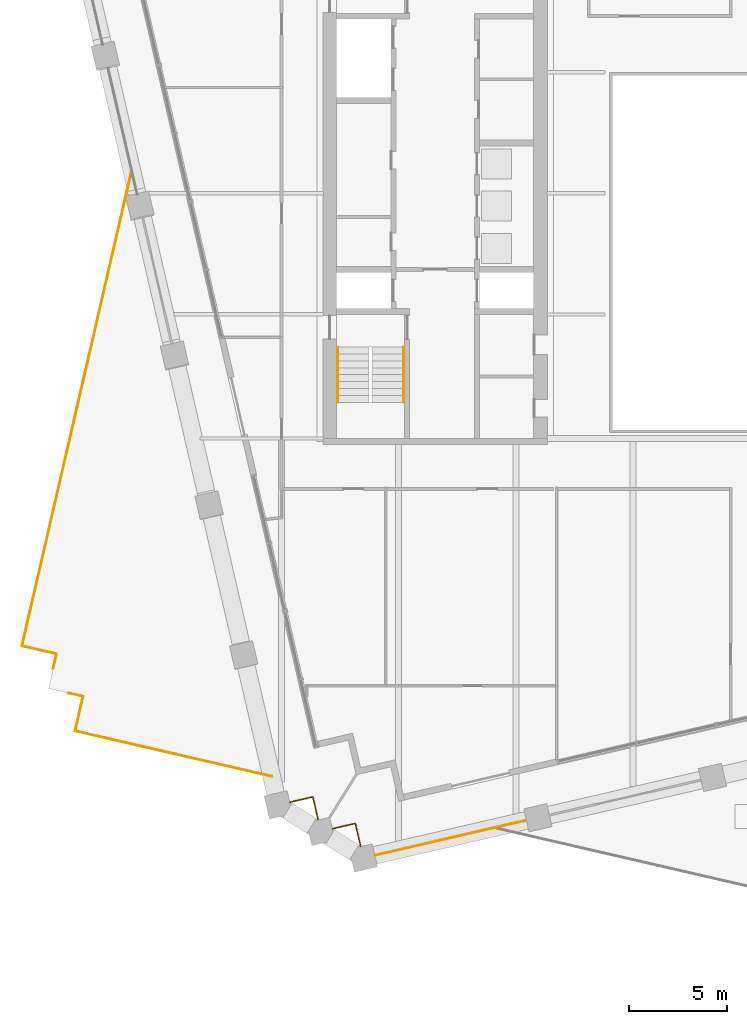
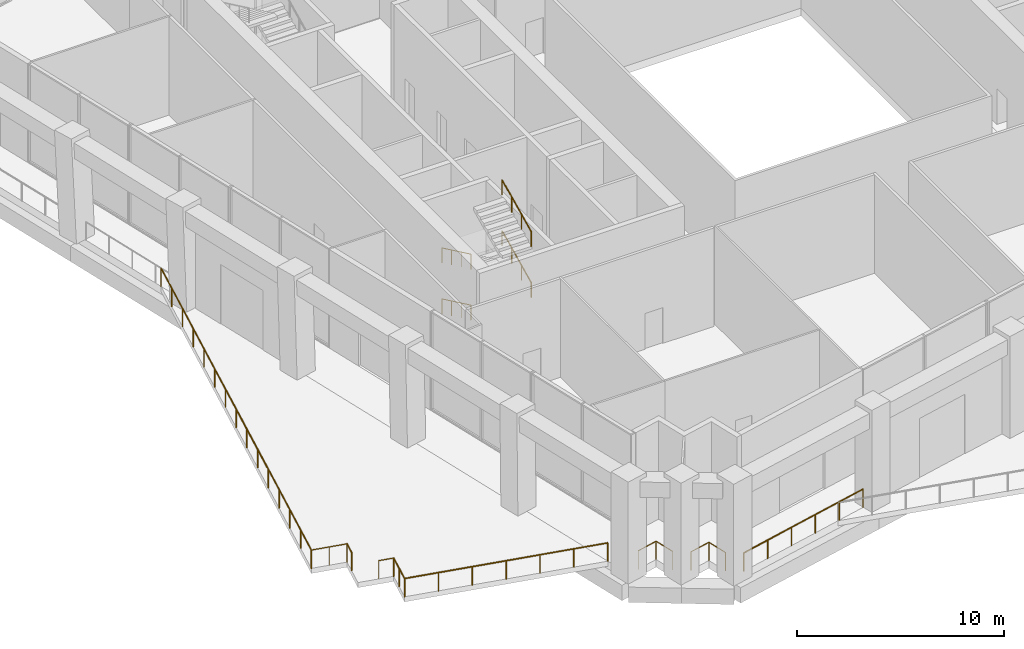
# One storey, part 18 of 24: 13 railings.
"""IFC4 building model written with IfcOpenShell, lengths in metres."""

import ifcopenshell
import ifcopenshell.guid

model = None  # the IFC model being written
_history = None  # IfcOwnerHistory: only IFC2X3 demands one
_inside = {}  # id of a spatial element -> (the spatial element, [elements in it])
_under = {}  # id of a project, library or spatial element -> (it, [spatial elements below it])
_declared = {}  # id of a project -> (the project, [libraries it declares])
_typed = {}  # id of a type object -> (the type object, [elements of that type])
_made_of = {}  # id of a material, layer set ... -> (it, [elements and type objects made of it])


def new_model(schema):
    """Start an empty IFC model of exactly this schema.

    Asked for "IFC4X3", IfcOpenShell would pick the latest addendum, in which some entities
    have other attributes; the version numbers below select the first issue.
    IFC2X3 requires an IfcOwnerHistory on every rooted entity: one is made here for all.
    """
    global model, _history
    if schema == "IFC4X3":
        model = ifcopenshell.file(schema_version=(4, 3, 0, 0))
    else:
        model = ifcopenshell.file(schema=schema)
    _inside.clear()
    _under.clear()
    _declared.clear()
    _typed.clear()
    _made_of.clear()
    _history = None
    if model.schema == "IFC2X3":
        org = make("IfcOrganization", Name="unknown")
        user = make(
            "IfcPersonAndOrganization",
            ThePerson=make("IfcPerson", FamilyName="unknown"),
            TheOrganization=org,
        )
        app = make(
            "IfcApplication",
            ApplicationDeveloper=org,
            Version="unknown",
            ApplicationFullName="unknown",
            ApplicationIdentifier="unknown",
        )
        _history = make(
            "IfcOwnerHistory",
            OwningUser=user,
            OwningApplication=app,
            ChangeAction="ADDED",
            CreationDate=0,
        )
    return model


def make(cls, **values):
    """One entity of the class cls with the attributes given. An attribute that is None is left unset."""
    return model.create_entity(
        cls, **{name: value for name, value in values.items() if value is not None}
    )


def rooted(cls, **values):
    """An entity with a GlobalId (a new one), such as an element, a storey or a relation."""
    return make(cls, GlobalId=ifcopenshell.guid.new(), OwnerHistory=_history, **values)


def si_unit(unit_type, name, prefix=None):
    """IfcSIUnit, for example si_unit("LENGTHUNIT", "METRE", prefix="MILLI")."""
    return make("IfcSIUnit", UnitType=unit_type, Prefix=prefix, Name=name)


def assignment(units):
    """IfcUnitAssignment: the units of a project."""
    return None if units is None else make("IfcUnitAssignment", Units=units)


def point(xyz):
    """IfcCartesianPoint."""
    return None if xyz is None else make("IfcCartesianPoint", Coordinates=xyz)


def direction(xyz):
    """IfcDirection."""
    return None if xyz is None else make("IfcDirection", DirectionRatios=xyz)


def frame(location, z_axis=None, x_axis=None):
    """IfcAxis2Placement3D, a coordinate frame: its origin and axes. An axis left out is left unset."""
    return make(
        "IfcAxis2Placement3D",
        Location=point(location),
        Axis=direction(z_axis),
        RefDirection=direction(x_axis),
    )


def frame_2d(location, x_axis=None):
    """IfcAxis2Placement2D, a coordinate frame in the plane: its origin and x axis."""
    return make(
        "IfcAxis2Placement2D", Location=point(location), RefDirection=direction(x_axis)
    )


def origin():
    """The frame at (0, 0, 0) with its axes left unset."""
    return frame((0.0, 0.0, 0.0))


def origin_2d():
    """The frame at (0, 0) in the plane with its x axis left unset."""
    return frame_2d((0.0, 0.0))


def place(relative_to, where):
    """IfcLocalPlacement: puts the frame where relative to a parent placement (None: the world)."""
    return make(
        "IfcLocalPlacement", PlacementRelTo=relative_to, RelativePlacement=where
    )


def context(
    kind, dimensions, precision=None, world=None, true_north=None, identifier=None
):
    """IfcGeometricRepresentationContext, for example the 3D "Model" context."""
    return make(
        "IfcGeometricRepresentationContext",
        ContextIdentifier=identifier,
        ContextType=kind,
        CoordinateSpaceDimension=dimensions,
        Precision=precision,
        WorldCoordinateSystem=world,
        TrueNorth=true_north,
    )


def subcontext(parent, identifier, kind, view, scale=None):
    """IfcGeometricRepresentationSubContext, for example "Body" below "Model"."""
    return make(
        "IfcGeometricRepresentationSubContext",
        ContextIdentifier=identifier,
        ContextType=kind,
        ParentContext=parent,
        TargetScale=scale,
        TargetView=view,
    )


def project(units=None, contexts=None):
    """IfcProject with its units and contexts."""
    return rooted(
        "IfcProject",
        Name="project",
        RepresentationContexts=contexts,
        UnitsInContext=assignment(units),
    )


def spatial(cls, under=None, at=None, **own):
    """A site, building, storey or space (cls), placed at a placement, below another one or the project."""
    s = rooted(cls, ObjectPlacement=at, **own)
    if under is not None:
        _under.setdefault(under.id(), (under, []))[1].append(s)
    return s


def profile(cls, at=None, kind="AREA", **sizes):
    """A parametric profile (cls). Its sizes go by their IFC names, for example OverallWidth=200.0."""
    return make(cls, ProfileType=kind, Position=at, **sizes)


def circle(**sizes):
    """IfcCircleProfileDef."""
    return profile("IfcCircleProfileDef", **sizes)


def extrude(swept, where, along, depth):
    """IfcExtrudedAreaSolid: the profile swept, set in the frame where, extruded along a direction by depth."""
    return make(
        "IfcExtrudedAreaSolid",
        SweptArea=swept,
        Position=where,
        ExtrudedDirection=direction(along),
        Depth=depth,
    )


def shape(context_of_items, identifier, shape_type, items):
    """IfcShapeRepresentation: the items that make up one representation, for example the "Body"."""
    return make(
        "IfcShapeRepresentation",
        ContextOfItems=context_of_items,
        RepresentationIdentifier=identifier,
        RepresentationType=shape_type,
        Items=items,
    )


def material(Name=None, Category=None):
    """IfcMaterial."""
    return make("IfcMaterial", Name=Name, Category=Category)


def made_of(thing, what):
    """Note that an element or type object is made of a material, layer set ...; save() writes the relation."""
    if what is not None:
        _made_of.setdefault(what.id(), (what, []))[1].append(thing)
    return thing


def type_object(cls, material=None, **own):
    """A type object (cls), such as IfcWallType, which elements share."""
    return made_of(rooted(cls, **own), material)


def element(
    cls,
    number,
    at=None,
    inside=None,
    cuts=None,
    type_object=None,
    material=None,
    context=None,
    identifier="Body",
    shape_type=None,
    held_by="IfcProductDefinitionShape",
    body=None,
    shapes=None,
    **own,
):
    """One element of the class cls, such as IfcWall. Its Tag is "e" and its number.

    at: its placement. inside: the storey or other place that contains it. cuts: it is an
    opening in that element (IfcRelVoidsElement). A single representation is given by context,
    identifier, shape_type and body (its items); several are given by shapes. held_by: the class
    of the entity that holds the representations. save() writes the other relations.
    """
    e = rooted(cls, Tag="e%d" % number, ObjectPlacement=at, **own)
    if body is not None:
        shapes = [shape(context, identifier, shape_type, body)]
    if shapes is not None:
        e.Representation = make(held_by, Representations=shapes)
    if inside is not None:
        _inside.setdefault(inside.id(), (inside, []))[1].append(e)
    if cuts is not None:
        rooted(
            "IfcRelVoidsElement", RelatingBuildingElement=cuts, RelatedOpeningElement=e
        )
    if type_object is not None:
        _typed.setdefault(type_object.id(), (type_object, []))[1].append(e)
    return made_of(e, material)


def aggregate(whole, parts):
    """IfcRelAggregates: a whole, such as a stair, and the parts it consists of."""
    return rooted("IfcRelAggregates", RelatingObject=whole, RelatedObjects=parts)


def save(model, path):
    """Write the relations noted so far, then the file.

    IfcRelAggregates (storeys below a building ...), IfcRelContainedInSpatialStructure (elements
    in a storey), IfcRelDefinesByType, IfcRelAssociatesMaterial and IfcRelDeclares: one each for
    every whole, place, type object, material and project.
    """
    for whole, parts in _under.values():
        aggregate(whole, parts)
    for where, things in _inside.values():
        rooted(
            "IfcRelContainedInSpatialStructure",
            RelatedElements=things,
            RelatingStructure=where,
        )
    for kind, things in _typed.values():
        rooted("IfcRelDefinesByType", RelatedObjects=things, RelatingType=kind)
    for what, things in _made_of.values():
        rooted("IfcRelAssociatesMaterial", RelatedObjects=things, RelatingMaterial=what)
    for by, libraries in _declared.values():
        rooted("IfcRelDeclares", RelatingContext=by, RelatedDefinitions=libraries)
    model.write(path)


model = new_model("IFC4")

# Units and contexts
model_context = context("Model", 3, precision=1e-05, world=origin(), true_north=direction((0.0, 1.0)))
body_context = subcontext(model_context, "Body", "Model", "MODEL_VIEW")
ifc_project = project(units=[si_unit("LENGTHUNIT", "METRE"), si_unit("AREAUNIT", "SQUARE_METRE"), si_unit("VOLUMEUNIT", "CUBIC_METRE"), si_unit("PLANEANGLEUNIT", "RADIAN"), si_unit("MASSUNIT", "GRAM", prefix="KILO")], contexts=[model_context])

# Site, building, storey
site_placement = place(None, origin())
site = spatial("IfcSite", under=ifc_project, at=site_placement, CompositionType="ELEMENT")
building_placement = place(site_placement, origin())
building = spatial("IfcBuilding", under=site, at=building_placement, Name="Ogive Exchange Tower", CompositionType="ELEMENT")
storey_placement = place(building_placement, frame((0.0, 0.0, 165.60009765625)))
storey = spatial("IfcBuildingStorey", under=building, at=storey_placement, Name="L36", CompositionType="ELEMENT", Elevation=165.60009765625)

# Railings
ifc_material_1 = material(Name="Stainless steel 316", Category="steel")
railing_type_1 = type_object("IfcRailingType", Name="Balustrade 1100 glass and stainless steel", PredefinedType="BALUSTRADE", material=ifc_material_1)
railing_1_placement = place(storey_placement, frame((-34.281982421875, -17.298095703125, 0.0)))
element("IfcRailing", 1, at=railing_1_placement, inside=storey, type_object=railing_type_1, Name="Terrace balustrade 7", PredefinedType="BALUSTRADE", context=body_context, shape_type="SweptSolid", body=[
    extrude(circle(Radius=0.02392578125, at=origin_2d()), frame((0.0, 0.0, 1.076171875), z_axis=(0.224879318197, 0.974386623598, 0.0), x_axis=(-0.974386623598, 0.224879318197, 0.0)), (0.0, 0.0, 1.0), 1.800048828125),
    extrude(circle(Radius=0.02099609375, at=origin_2d()), origin(), (0.0, 0.0, 1.0), 1.052001953125),
    extrude(circle(Radius=0.02099609375, at=origin_2d()), frame((0.202392578125, 0.876953125, 0.0)), (0.0, 0.0, 1.0), 1.052001953125),
    extrude(circle(Radius=0.02099609375, at=origin_2d()), frame((0.40478515625, 1.75390625, 0.0)), (0.0, 0.0, 1.0), 1.052001953125),
])
railing_2_placement = place(storey_placement, frame((-33.877197265625, -15.544189453125, 0.0)))
element("IfcRailing", 2, at=railing_2_placement, inside=storey, type_object=railing_type_1, Name="Terrace balustrade 8", PredefinedType="BALUSTRADE", context=body_context, shape_type="SweptSolid", body=[
    extrude(circle(Radius=0.02392578125, at=origin_2d()), frame((0.0, 0.0, 1.076171875), z_axis=(-0.974369243905, 0.224954609936, 0.0), x_axis=(-0.224954609936, -0.974369243905, 0.0)), (0.0, 0.0, 1.0), 0.75),
    extrude(circle(Radius=0.02099609375, at=origin_2d()), origin(), (0.0, 0.0, 1.0), 1.052001953125),
    extrude(circle(Radius=0.02099609375, at=origin_2d()), frame((-0.730712890625, 0.168701171875, 0.0)), (0.0, 0.0, 1.0), 1.052001953125),
])
railing_3_placement = place(storey_placement, frame((-35.394775390625, -14.115966796875, 0.0)))
element("IfcRailing", 3, at=railing_3_placement, inside=storey, type_object=railing_type_1, Name="Terrace balustrade 9", PredefinedType="BALUSTRADE", context=body_context, shape_type="SweptSolid", body=[
    extrude(circle(Radius=0.02392578125, at=origin_2d()), frame((0.0, 0.0, 1.076171875), z_axis=(0.225025988766, 0.974352761776, 0.0), x_axis=(-0.974352761776, 0.225025988766, 0.0)), (0.0, 0.0, 1.0), 0.749755859375),
    extrude(circle(Radius=0.02099609375, at=origin_2d()), origin(), (0.0, 0.0, 1.0), 1.052001953125),
    extrude(circle(Radius=0.02099609375, at=origin_2d()), frame((0.168701171875, 0.73046875, 0.0)), (0.0, 0.0, 1.0), 1.052001953125),
])
railing_4_placement = place(storey_placement, frame((-35.22607421875, -13.385498046875, 0.0)))
element("IfcRailing", 4, at=railing_4_placement, inside=storey, type_object=railing_type_1, Name="Terrace balustrade 10", PredefinedType="BALUSTRADE", context=body_context, shape_type="SweptSolid", body=[
    extrude(circle(Radius=0.02392578125, at=origin_2d()), frame((0.0, 0.0, 1.076171875), z_axis=(-0.974386623598, 0.224879318197, 0.0), x_axis=(-0.224879318197, -0.974386623598, 0.0)), (0.0, 0.0, 1.0), 1.800048828125),
    extrude(circle(Radius=0.02099609375, at=origin_2d()), origin(), (0.0, 0.0, 1.0), 1.052001953125),
    extrude(circle(Radius=0.02099609375, at=origin_2d()), frame((-0.876953125, 0.202392578125, 0.0)), (0.0, 0.0, 1.0), 1.052001953125),
    extrude(circle(Radius=0.02099609375, at=origin_2d()), frame((-1.75390625, 0.40478515625, 0.0)), (0.0, 0.0, 1.0), 1.052001953125),
])
railing_5_placement = place(storey_placement, frame((-36.97998046875, -12.980712890625, 0.0)))
element("IfcRailing", 5, at=railing_5_placement, inside=storey, type_object=railing_type_1, Name="Terrace balustrade 11", PredefinedType="BALUSTRADE", context=body_context, shape_type="SweptSolid", body=[
    extrude(circle(Radius=0.02392578125, at=origin_2d()), frame((0.0, 0.0, 1.076171875), z_axis=(0.224951597584, 0.974369939368, 0.0), x_axis=(-0.974369939368, 0.224951597584, 0.0)), (0.0, 0.0, 1.0), 24.782958984375),
    extrude(circle(Radius=0.02099609375, at=origin_2d()), origin(), (0.0, 0.0, 1.0), 1.052001953125),
    extrude(circle(Radius=0.02099609375, at=origin_2d()), frame((0.398193359375, 1.724853515625, 0.0)), (0.0, 0.0, 1.0), 1.052001953125),
    extrude(circle(Radius=0.02099609375, at=origin_2d()), frame((0.79638671875, 3.44970703125, 0.0)), (0.0, 0.0, 1.0), 1.052001953125),
    extrude(circle(Radius=0.02099609375, at=origin_2d()), frame((1.194580078125, 5.174560546875, 0.0)), (0.0, 0.0, 1.0), 1.052001953125),
    extrude(circle(Radius=0.02099609375, at=origin_2d()), frame((1.5927734375, 6.8994140625, 0.0)), (0.0, 0.0, 1.0), 1.052001953125),
    extrude(circle(Radius=0.02099609375, at=origin_2d()), frame((1.990966796875, 8.624267578125, 0.0)), (0.0, 0.0, 1.0), 1.052001953125),
    extrude(circle(Radius=0.02099609375, at=origin_2d()), frame((2.38916015625, 10.34912109375, 0.0)), (0.0, 0.0, 1.0), 1.052001953125),
    extrude(circle(Radius=0.02099609375, at=origin_2d()), frame((2.78759765625, 12.07373046875, 0.0)), (0.0, 0.0, 1.0), 1.052001953125),
    extrude(circle(Radius=0.02099609375, at=origin_2d()), frame((3.185791015625, 13.798583984375, 0.0)), (0.0, 0.0, 1.0), 1.052001953125),
    extrude(circle(Radius=0.02099609375, at=origin_2d()), frame((3.583984375, 15.5234375, 0.0)), (0.0, 0.0, 1.0), 1.052001953125),
    extrude(circle(Radius=0.02099609375, at=origin_2d()), frame((3.982177734375, 17.248291015625, 0.0)), (0.0, 0.0, 1.0), 1.052001953125),
    extrude(circle(Radius=0.02099609375, at=origin_2d()), frame((4.38037109375, 18.97314453125, 0.0)), (0.0, 0.0, 1.0), 1.052001953125),
    extrude(circle(Radius=0.02099609375, at=origin_2d()), frame((4.778564453125, 20.697998046875, 0.0)), (0.0, 0.0, 1.0), 1.052001953125),
    extrude(circle(Radius=0.02099609375, at=origin_2d()), frame((5.1767578125, 22.4228515625, 0.0)), (0.0, 0.0, 1.0), 1.052001953125),
    extrude(circle(Radius=0.02099609375, at=origin_2d()), frame((5.574951171875, 24.147705078125, 0.0)), (0.0, 0.0, 1.0), 1.052001953125),
])
railing_6_placement = place(storey_placement, frame((-24.301513671875, -19.602294921875, 0.0)))
element("IfcRailing", 6, at=railing_6_placement, inside=storey, type_object=railing_type_1, Name="Terrace balustrade 12", PredefinedType="BALUSTRADE", context=body_context, shape_type="SweptSolid", body=[
    extrude(circle(Radius=0.02392578125, at=origin_2d()), frame((0.0, 0.0, 1.076171875), z_axis=(-0.97436949875, 0.224953506096, 0.0), x_axis=(-0.224953506096, -0.97436949875, 0.0)), (0.0, 0.0, 1.0), 10.242919921875),
    extrude(circle(Radius=0.02099609375, at=origin_2d()), origin(), (0.0, 0.0, 1.0), 1.052001953125),
    extrude(circle(Radius=0.02099609375, at=origin_2d()), frame((-1.663330078125, 0.384033203125, 0.0)), (0.0, 0.0, 1.0), 1.052001953125),
    extrude(circle(Radius=0.02099609375, at=origin_2d()), frame((-3.326904296875, 0.76806640625, 0.0)), (0.0, 0.0, 1.0), 1.052001953125),
    extrude(circle(Radius=0.02099609375, at=origin_2d()), frame((-4.990234375, 1.152099609375, 0.0)), (0.0, 0.0, 1.0), 1.052001953125),
    extrude(circle(Radius=0.02099609375, at=origin_2d()), frame((-6.653564453125, 1.5361328125, 0.0)), (0.0, 0.0, 1.0), 1.052001953125),
    extrude(circle(Radius=0.02099609375, at=origin_2d()), frame((-8.317138671875, 1.920166015625, 0.0)), (0.0, 0.0, 1.0), 1.052001953125),
    extrude(circle(Radius=0.02099609375, at=origin_2d()), frame((-9.98046875, 2.30419921875, 0.0)), (0.0, 0.0, 1.0), 1.052001953125),
])
railing_type_2 = type_object("IfcRailingType", Name="Guard 1100 stainless steel and glass", PredefinedType="GUARDRAIL", material=ifc_material_1)
railing_7_placement = place(storey_placement, frame((-19.045166015625, -23.609619140625, 0.0)))
element("IfcRailing", 7, at=railing_7_placement, inside=storey, type_object=railing_type_2, Name="Loggia guard S00", PredefinedType="GUARDRAIL", context=body_context, shape_type="SweptSolid", body=[
    extrude(circle(Radius=0.02392578125, at=origin_2d()), frame((0.0, 0.0, 1.076171875), z_axis=(0.974370774795, 0.22494797893, 0.0), x_axis=(-0.22494797893, 0.974370774795, 0.0)), (0.0, 0.0, 1.0), 7.85986328125),
    extrude(circle(Radius=0.02099609375, at=origin_2d()), origin(), (0.0, 0.0, 1.0), 1.052001953125),
    extrude(circle(Radius=0.02099609375, at=origin_2d()), frame((1.53173828125, 0.353515625, 0.0)), (0.0, 0.0, 1.0), 1.052001953125),
    extrude(circle(Radius=0.02099609375, at=origin_2d()), frame((3.0634765625, 0.707275390625, 0.0)), (0.0, 0.0, 1.0), 1.052001953125),
    extrude(circle(Radius=0.02099609375, at=origin_2d()), frame((4.594970703125, 1.060791015625, 0.0)), (0.0, 0.0, 1.0), 1.052001953125),
    extrude(circle(Radius=0.02099609375, at=origin_2d()), frame((6.126708984375, 1.41455078125, 0.0)), (0.0, 0.0, 1.0), 1.052001953125),
    extrude(circle(Radius=0.02099609375, at=origin_2d()), frame((7.658447265625, 1.76806640625, 0.0)), (0.0, 0.0, 1.0), 1.052001953125),
])
for number, where, name in (
    (8, (-23.36279296875, -20.911865234375, 0.0), "Loggia guard C41"),
    (9, (-21.2041015625, -22.2607421875, 0.0), "Loggia guard C42"),
):
    element("IfcRailing", number, at=place(storey_placement, frame(where)), inside=storey, type_object=railing_type_2, Name=name, PredefinedType="GUARDRAIL", context=body_context, shape_type="SweptSolid", body=[
        extrude(circle(Radius=0.02392578125, at=origin_2d()), frame((0.0, 0.0, 1.076171875), z_axis=(0.974387708897, 0.22487461562, 0.0), x_axis=(-0.22487461562, 0.974387708897, 0.0)), (0.0, 0.0, 1.0), 1.18017578125),
        extrude(circle(Radius=0.02392578125, at=origin_2d()), frame((1.14990234375, 0.265380859375, 1.076171875), z_axis=(0.224919954245, -0.974377244286, 0.0), x_axis=(0.974377244286, 0.224919954245, 0.0)), (0.0, 0.0, 1.0), 1.179931640625),
        extrude(circle(Radius=0.02099609375, at=origin_2d()), origin(), (0.0, 0.0, 1.0), 1.052001953125),
        extrude(circle(Radius=0.02099609375, at=origin_2d()), frame((1.14990234375, 0.265380859375, 0.0)), (0.0, 0.0, 1.0), 1.052001953125),
        extrude(circle(Radius=0.02099609375, at=origin_2d()), frame((1.415283203125, -0.88427734375, 0.0)), (0.0, 0.0, 1.0), 1.052001953125),
    ])
ifc_material_2 = material(Name="Stainless steel", Category="steel")
railing_type_3 = type_object("IfcRailingType", Name="Stair handrail 900", PredefinedType="HANDRAIL", material=ifc_material_2)
railing_8_placement = place(storey_placement, frame((-20.949951171875, 2.199951171875, 0.16650390625)))
element("IfcRailing", 10, at=railing_8_placement, inside=storey, type_object=railing_type_3, Name="L36 ST1 stair handrail 1", PredefinedType="HANDRAIL", context=body_context, shape_type="SweptSolid", body=[
    extrude(circle(Radius=0.02392578125, at=origin_2d()), frame((0.0, 0.0, 0.8759765625), z_axis=(0.0, -0.903307180593, 0.428994332701), x_axis=(1.0, 0.0, 0.0)), (0.0, 0.0, 1.0), 3.1083984375),
    extrude(circle(Radius=0.02099609375, at=origin_2d()), origin(), (0.0, 0.0, 1.0), 0.851806640625),
    extrude(circle(Radius=0.02099609375, at=origin_2d()), frame((0.0, -0.93603515625, 0.444580078125)), (0.0, 0.0, 1.0), 0.851806640625),
    extrude(circle(Radius=0.02099609375, at=origin_2d()), frame((0.0, -1.871826171875, 0.888916015625)), (0.0, 0.0, 1.0), 0.851806640625),
    extrude(circle(Radius=0.02099609375, at=origin_2d()), frame((0.0, -2.807861328125, 1.33349609375)), (0.0, 0.0, 1.0), 0.851806640625),
])
railing_9_placement = place(storey_placement, frame((-17.60009765625, -0.60791015625, 1.66650390625)))
element("IfcRailing", 11, at=railing_9_placement, inside=storey, type_object=railing_type_3, Name="L36 ST1 stair handrail 2", PredefinedType="HANDRAIL", context=body_context, shape_type="SweptSolid", body=[
    extrude(circle(Radius=0.02392578125, at=origin_2d()), frame((0.0, 0.0, 0.8759765625), z_axis=(0.0, 0.903307180593, 0.428994332701), x_axis=(-1.0, 0.0, 0.0)), (0.0, 0.0, 1.0), 3.1083984375),
    extrude(circle(Radius=0.02099609375, at=origin_2d()), origin(), (0.0, 0.0, 1.0), 0.851806640625),
    extrude(circle(Radius=0.02099609375, at=origin_2d()), frame((0.0, 0.93603515625, 0.444580078125)), (0.0, 0.0, 1.0), 0.851806640625),
    extrude(circle(Radius=0.02099609375, at=origin_2d()), frame((0.0, 1.871826171875, 0.888916015625)), (0.0, 0.0, 1.0), 0.851806640625),
    extrude(circle(Radius=0.02099609375, at=origin_2d()), frame((0.0, 2.807861328125, 1.33349609375)), (0.0, 0.0, 1.0), 0.851806640625),
])
railing_10_placement = place(storey_placement, frame((-20.949951171875, 2.199951171875, 3.16650390625)))
element("IfcRailing", 12, at=railing_10_placement, inside=storey, type_object=railing_type_3, Name="L36 ST1 stair handrail 3", PredefinedType="HANDRAIL", context=body_context, shape_type="SweptSolid", body=[
    extrude(circle(Radius=0.02392578125, at=origin_2d()), frame((0.0, 0.0, 0.8759765625), z_axis=(0.0, -0.903307180593, 0.428994332701), x_axis=(1.0, 0.0, 0.0)), (0.0, 0.0, 1.0), 3.1083984375),
    extrude(circle(Radius=0.02099609375, at=origin_2d()), origin(), (0.0, 0.0, 1.0), 0.851806640625),
    extrude(circle(Radius=0.02099609375, at=origin_2d()), frame((0.0, -0.93603515625, 0.444580078125)), (0.0, 0.0, 1.0), 0.851806640625),
    extrude(circle(Radius=0.02099609375, at=origin_2d()), frame((0.0, -1.871826171875, 0.888916015625)), (0.0, 0.0, 1.0), 0.851806640625),
    extrude(circle(Radius=0.02099609375, at=origin_2d()), frame((0.0, -2.807861328125, 1.33349609375)), (0.0, 0.0, 1.0), 0.851806640625),
])
railing_11_placement = place(storey_placement, frame((-17.60009765625, -0.60791015625, 4.66650390625)))
element("IfcRailing", 13, at=railing_11_placement, inside=storey, type_object=railing_type_3, Name="L36 ST1 stair handrail 4", PredefinedType="HANDRAIL", context=body_context, shape_type="SweptSolid", body=[
    extrude(circle(Radius=0.02392578125, at=origin_2d()), frame((0.0, 0.0, 0.8759765625), z_axis=(0.0, 0.903307180593, 0.428994332701), x_axis=(-1.0, 0.0, 0.0)), (0.0, 0.0, 1.0), 3.1083984375),
    extrude(circle(Radius=0.02099609375, at=origin_2d()), origin(), (0.0, 0.0, 1.0), 0.851806640625),
    extrude(circle(Radius=0.02099609375, at=origin_2d()), frame((0.0, 0.93603515625, 0.444580078125)), (0.0, 0.0, 1.0), 0.851806640625),
    extrude(circle(Radius=0.02099609375, at=origin_2d()), frame((0.0, 1.871826171875, 0.888916015625)), (0.0, 0.0, 1.0), 0.851806640625),
    extrude(circle(Radius=0.02099609375, at=origin_2d()), frame((0.0, 2.807861328125, 1.33349609375)), (0.0, 0.0, 1.0), 0.851806640625),
])

save(model, "model.ifc")
